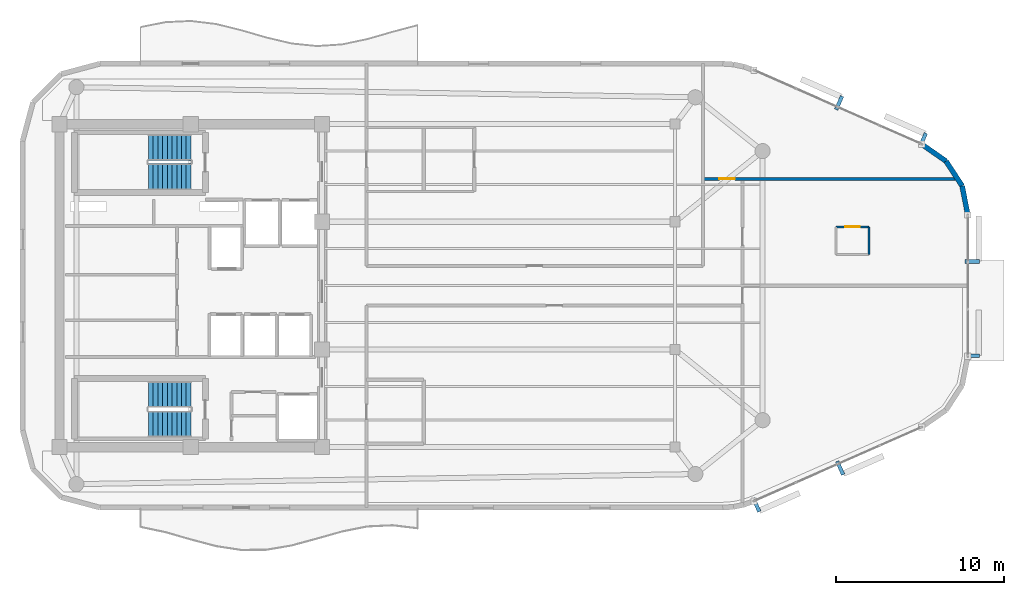
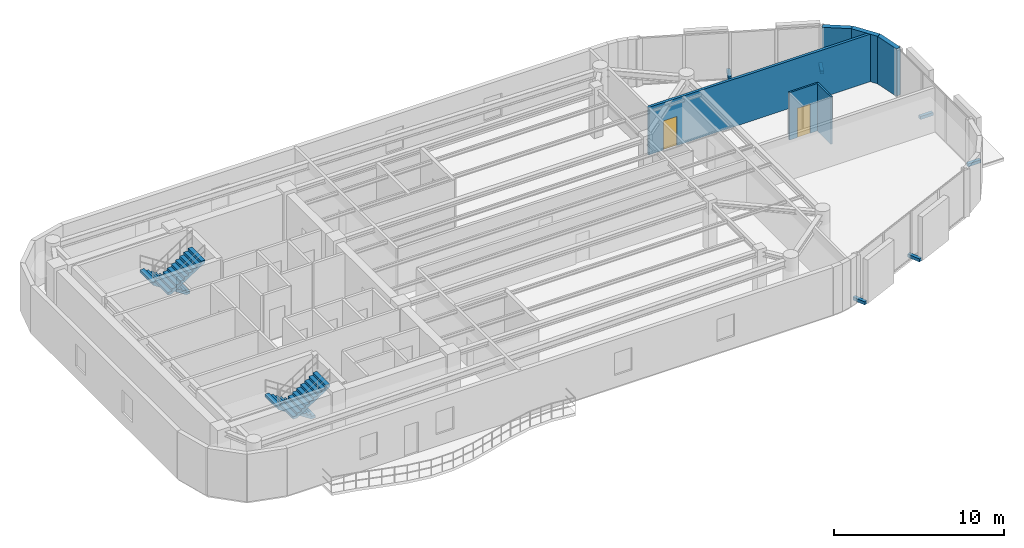
# One storey, part 10 of 12: 6 discrete accessories, 6 walls, 4 stair flights, 2 doors, 2 openings, 2 elements without a shape of their own.
"""IFC4 building model written with IfcOpenShell, lengths in metres."""

from ifc_helpers import new_model, si_unit, direction, frame, frame_2d, origin, origin_2d, place, context, subcontext, project, spatial, polyline, rectangle, outline, extrude, material, layer, layer_set, type_object, element, fill, aggregate, save


model = new_model("IFC4")

# Units and contexts
model_context = context("Model", 3, precision=1e-05, world=origin(), true_north=direction((0.0, 1.0)))
body_context = subcontext(model_context, "Body", "Model", "MODEL_VIEW")
ifc_project = project(units=[si_unit("LENGTHUNIT", "METRE"), si_unit("AREAUNIT", "SQUARE_METRE"), si_unit("VOLUMEUNIT", "CUBIC_METRE"), si_unit("PLANEANGLEUNIT", "RADIAN"), si_unit("MASSUNIT", "GRAM", prefix="KILO")], contexts=[model_context])

# Site, building, storey
site_placement = place(None, origin())
site = spatial("IfcSite", under=ifc_project, at=site_placement, CompositionType="ELEMENT")
building_placement = place(site_placement, origin())
building = spatial("IfcBuilding", under=site, at=building_placement, Name="An Khanh Terracotta Commons", CompositionType="ELEMENT")
storey_placement = place(building_placement, frame((0.0, 0.0, 291.64990234375)))
storey = spatial("IfcBuildingStorey", under=building, at=storey_placement, Name="L76", CompositionType="ELEMENT", Elevation=291.64990234375)

# Wall, opening, door
ifc_material_1 = material(Name="Fire-Rated Gypsum Board on Steel Stud", Category="steel")
ifc_layer_1 = layer(ifc_material_1, 0.179931640625, Name="Fire-Rated Gypsum Board on Steel Stud")
ifc_layer_set_1 = layer_set([ifc_layer_1], Name="Fire-Rated Gypsum Board on Steel Stud")
wall_type_1 = type_object("IfcWallType", Name="WALL-CORR-180", PredefinedType="PARTITIONING", material=ifc_layer_set_1)
wall_1_placement = place(storey_placement, frame((59.85009765625, 30.35009765625, 0.0), z_axis=(0.0, 0.0, 1.0), x_axis=(1.0, 0.0, 0.0)))
wall_1 = element("IfcWall", 1, at=wall_1_placement, inside=storey, type_object=wall_type_1, Name="L76 Interior Partition IW-L76-E007", PredefinedType="PARTITIONING", context=body_context, shape_type="SweptSolid", body=[
    extrude(rectangle(XDim=15.138916015625, YDim=0.179931640625, at=frame_2d((7.5693359375, 0.0))), origin(), (0.0, 0.0, 1.0), 3.41015625),
])
opening_1_placement = place(wall_1_placement, frame((0.97509765625, 0.0, 0.0)))
opening_1 = element("IfcOpeningElement", 2, at=opening_1_placement, cuts=wall_1, Name="Opening D-RM", PredefinedType="OPENING", context=body_context, shape_type="SweptSolid", body=[
    extrude(rectangle(XDim=0.919921875, YDim=2.10009765625, at=frame_2d((0.4599609375, 1.050048828125))), frame((0.0, 0.099853515625, 0.0), z_axis=(0.0, -1.0, 0.0), x_axis=(1.0, 0.0, 0.0)), (0.0, 0.0, 1.0), 0.199951171875),
])
ifc_material_2 = material(Name="Engineered Hardwood Timber Leaf", Category="wood")
door_type_1 = type_object("IfcDoorType", Name="DOOR-INT-920", OperationType="NOTDEFINED", PredefinedType="DOOR", material=ifc_material_2)
door_1_placement = place(opening_1_placement, origin())
door_1 = element("IfcDoor", 3, at=door_1_placement, inside=storey, type_object=door_type_1, Name="L76 ZCN Boardroom Meeting Room Door", OperationType="SINGLE_SWING_RIGHT", OverallHeight=2.10009765625, OverallWidth=0.919921875, PredefinedType="DOOR", context=body_context, shape_type="SweptSolid", body=[
    extrude(rectangle(XDim=0.919921875, YDim=2.10009765625, at=frame_2d((0.4599609375, 1.050048828125))), frame((0.0, 0.02490234375, 0.0), z_axis=(0.0, -1.0, 0.0), x_axis=(1.0, 0.0, 0.0)), (0.0, 0.0, 1.0), 0.050048828125),
])
fill(opening_1, door_1)

# Walls
ifc_material_3 = material(Name="Precast concrete C40/50", Category="concrete")
ifc_layer_2 = layer(ifc_material_3, 0.300048828125, Name="Precast concrete C40/50")
ifc_layer_set_2 = layer_set([ifc_layer_2], Name="Precast concrete C40/50")
wall_type_2 = type_object("IfcWallType", Name="WALL-EXT-300", PredefinedType="SOLIDWALL", material=ifc_layer_set_2)
for number, where, z_axis, x_axis, name in (
    (4, (75.60009765625, 28.201904296875, 0.0), (0.0, 0.0, 1.0), (-0.1915005851, 0.981492499159, 0.0), "L76 Insulated Terracotta Exterior Wall 13"),
    (5, (75.262939453125, 29.929931640625, 0.0), (0.0, 0.0, 1.0), (-0.545836224831, 0.837891887813, 0.0), "L76 Insulated Terracotta Exterior Wall 14"),
):
    element("IfcWall", number, at=place(storey_placement, frame(where, z_axis=z_axis, x_axis=x_axis)), inside=storey, type_object=wall_type_2, Name=name, PredefinedType="SOLIDWALL", context=body_context, shape_type="SweptSolid", body=[
        extrude(rectangle(XDim=1.760498046875, YDim=0.300048828125, at=frame_2d((0.88037109375, 0.0))), origin(), (0.0, 0.0, 1.0), 3.41015625),
    ])
wall_2_placement = place(storey_placement, frame((74.302001953125, 31.405029296875, 0.0), z_axis=(0.0, 0.0, 1.0), x_axis=(-0.821006966142, 0.570918174124, 0.0)))
element("IfcWall", 6, at=wall_2_placement, inside=storey, type_object=wall_type_2, Name="L76 Insulated Terracotta Exterior Wall 15", PredefinedType="SOLIDWALL", context=body_context, shape_type="SweptSolid", body=[
    extrude(rectangle(XDim=1.760009765625, YDim=0.300048828125, at=frame_2d((0.8798828125, 0.0))), origin(), (0.0, 0.0, 1.0), 3.41015625),
])

# Wall, opening, door
ifc_material_4 = material(Name="Moisture-Resistant Cement Board Partition")
ifc_layer_3 = layer(ifc_material_4, 0.1201171875, Name="Moisture-Resistant Cement Board Partition")
ifc_layer_set_3 = layer_set([ifc_layer_3], Name="Moisture-Resistant Cement Board Partition")
wall_type_3 = type_object("IfcWallType", Name="WALL-WET-120", PredefinedType="PARTITIONING", material=ifc_layer_set_3)
wall_3_placement = place(storey_placement, frame((67.764892578125, 27.5009765625, 0.0), z_axis=(0.0, 0.0, 1.0), x_axis=(1.0, 0.0, 0.0)))
wall_3 = element("IfcWall", 7, at=wall_3_placement, inside=storey, type_object=wall_type_3, Name="L76 Interior Partition IW-L76-ZE1-BN", PredefinedType="PARTITIONING", context=body_context, shape_type="SweptSolid", body=[
    extrude(rectangle(XDim=1.9501953125, YDim=0.1201171875, at=frame_2d((0.97509765625, 0.0))), origin(), (0.0, 0.0, 1.0), 3.41015625),
])
opening_2_placement = place(wall_3_placement, frame((0.544921875, 0.0, 0.0)))
opening_2 = element("IfcOpeningElement", 8, at=opening_2_placement, cuts=wall_3, Name="Opening D-ENS", PredefinedType="OPENING", context=body_context, shape_type="SweptSolid", body=[
    extrude(rectangle(XDim=0.860107421875, YDim=2.10009765625, at=frame_2d((0.43017578125, 1.050048828125))), frame((0.0, 0.070068359375, 0.0), z_axis=(0.0, -1.0, 0.0), x_axis=(1.0, 0.0, 0.0)), (0.0, 0.0, 1.0), 0.14013671875),
])
ifc_material_5 = material(Name="Moisture-Resistant Hardwood Timber Leaf", Category="wood")
door_type_2 = type_object("IfcDoorType", Name="DOOR-BATH-860", OperationType="NOTDEFINED", PredefinedType="DOOR", material=ifc_material_5)
door_2_placement = place(opening_2_placement, origin())
door_2 = element("IfcDoor", 9, at=door_2_placement, inside=storey, type_object=door_type_2, Name="L76 Studio ZE1 En-suite Door", OperationType="SINGLE_SWING_LEFT", OverallHeight=2.10009765625, OverallWidth=0.860107421875, PredefinedType="DOOR", context=body_context, shape_type="SweptSolid", body=[
    extrude(rectangle(XDim=0.860107421875, YDim=2.10009765625, at=frame_2d((0.43017578125, 1.050048828125))), frame((0.0, 0.02490234375, 0.0), z_axis=(0.0, -1.0, 0.0), x_axis=(1.0, 0.0, 0.0)), (0.0, 0.0, 1.0), 0.050048828125),
])
fill(opening_2, door_2)

# Wall
wall_4_placement = place(storey_placement, frame((69.715087890625, 25.85107421875, 0.0), z_axis=(0.0, 0.0, 1.0), x_axis=(0.0, 1.0, 0.0)))
element("IfcWall", 10, at=wall_4_placement, inside=storey, type_object=wall_type_3, Name="L76 Interior Partition IW-L76-ZE1-BE", PredefinedType="PARTITIONING", context=body_context, shape_type="SweptSolid", body=[
    extrude(rectangle(XDim=1.64990234375, YDim=0.1201171875, at=frame_2d((0.824951171875, 0.0))), origin(), (0.0, 0.0, 1.0), 3.41015625),
])

# Stair, stair flights
stair_type = type_object("IfcStairType", Name="STAIR-CORE-1550", PredefinedType="HALF_TURN_STAIR", material=ifc_material_3)
stair_1_placement = place(storey_placement, origin())
stair_1 = element("IfcStair", 11, at=stair_1_placement, inside=storey, type_object=stair_type, Name="L76 Core Smokeproof Exit Stair ST-01", PredefinedType="HALF_TURN_STAIR")
stair_flight_type = type_object("IfcStairFlightType", Name="FLIGHT-CORE-1550", PredefinedType="STRAIGHT", material=ifc_material_3)
stair_flight_1_placement = place(storey_placement, frame((29.409912109375, 32.22509765625, 0.0), z_axis=(0.0, 0.0, 1.0), x_axis=(-1.0, 0.0, 0.0)))
stair_flight_1 = element("IfcStairFlight", 12, at=stair_flight_1_placement, type_object=stair_flight_type, Name="ST-01 flight 1", NumberOfRisers=10, NumberOfTreads=9, PredefinedType="STRAIGHT", RiserHeight=0.1825, TreadLength=0.28, context=body_context, shape_type="SweptSolid", body=[
    extrude(outline(polyline([(0.0, 0.0), (0.0, 0.1826171875), (0.280029296875, 0.1826171875), (0.280029296875, 0.364990234375), (0.56005859375, 0.364990234375), (0.56005859375, 0.547607421875), (0.840087890625, 0.547607421875), (0.840087890625, 0.72998046875), (1.1201171875, 0.72998046875), (1.1201171875, 0.91259765625), (1.39990234375, 0.91259765625), (1.39990234375, 1.094970703125), (1.679931640625, 1.094970703125), (1.679931640625, 1.277587890625), (1.9599609375, 1.277587890625), (1.9599609375, 1.4599609375), (2.239990234375, 1.4599609375), (2.239990234375, 1.642578125), (2.52001953125, 1.642578125), (2.52001953125, 1.824951171875), (2.52001953125, 1.463623046875), (0.2744140625, 0.0), (0.0, 0.0)])), frame((0.0, 0.77490234375, 0.0), z_axis=(0.0, -1.0, 0.0), x_axis=(1.0, 0.0, 0.0)), (0.0, 0.0, 1.0), 1.550048828125),
])
stair_flight_2_placement = place(storey_placement, frame((26.889892578125, 30.47509765625, 1.8251953125), z_axis=(0.0, 0.0, 1.0), x_axis=(1.0, 0.0, 0.0)))
stair_flight_2 = element("IfcStairFlight", 13, at=stair_flight_2_placement, type_object=stair_flight_type, Name="ST-01 flight 2", NumberOfRisers=10, NumberOfTreads=9, PredefinedType="STRAIGHT", RiserHeight=0.1825, TreadLength=0.28, context=body_context, shape_type="SweptSolid", body=[
    extrude(outline(polyline([(0.0, 0.0), (0.0, 0.1826171875), (0.280029296875, 0.1826171875), (0.280029296875, 0.364990234375), (0.56005859375, 0.364990234375), (0.56005859375, 0.547607421875), (0.840087890625, 0.547607421875), (0.840087890625, 0.72998046875), (1.1201171875, 0.72998046875), (1.1201171875, 0.91259765625), (1.39990234375, 0.91259765625), (1.39990234375, 1.094970703125), (1.679931640625, 1.094970703125), (1.679931640625, 1.277587890625), (1.9599609375, 1.277587890625), (1.9599609375, 1.4599609375), (2.239990234375, 1.4599609375), (2.239990234375, 1.642578125), (2.52001953125, 1.642578125), (2.52001953125, 1.824951171875), (2.52001953125, 1.463623046875), (0.2744140625, 0.0), (0.0, 0.0)])), frame((0.0, 0.77490234375, 0.0), z_axis=(0.0, -1.0, 0.0), x_axis=(1.0, 0.0, 0.0)), (0.0, 0.0, 1.0), 1.550048828125),
])
aggregate(stair_1, [stair_flight_1, stair_flight_2])

stair_2_placement = place(storey_placement, origin())
stair_2 = element("IfcStair", 14, at=stair_2_placement, inside=storey, type_object=stair_type, Name="L76 Core Smokeproof Exit Stair ST-02", PredefinedType="HALF_TURN_STAIR")
stair_flight_3_placement = place(storey_placement, frame((29.409912109375, 17.52490234375, 0.0), z_axis=(0.0, 0.0, 1.0), x_axis=(-1.0, 0.0, 0.0)))
stair_flight_3 = element("IfcStairFlight", 15, at=stair_flight_3_placement, type_object=stair_flight_type, Name="ST-02 flight 1", NumberOfRisers=10, NumberOfTreads=9, PredefinedType="STRAIGHT", RiserHeight=0.1825, TreadLength=0.28, context=body_context, shape_type="SweptSolid", body=[
    extrude(outline(polyline([(0.0, 0.0), (0.0, 0.1826171875), (0.280029296875, 0.1826171875), (0.280029296875, 0.364990234375), (0.56005859375, 0.364990234375), (0.56005859375, 0.547607421875), (0.840087890625, 0.547607421875), (0.840087890625, 0.72998046875), (1.1201171875, 0.72998046875), (1.1201171875, 0.91259765625), (1.39990234375, 0.91259765625), (1.39990234375, 1.094970703125), (1.679931640625, 1.094970703125), (1.679931640625, 1.277587890625), (1.9599609375, 1.277587890625), (1.9599609375, 1.4599609375), (2.239990234375, 1.4599609375), (2.239990234375, 1.642578125), (2.52001953125, 1.642578125), (2.52001953125, 1.824951171875), (2.52001953125, 1.463623046875), (0.2744140625, 0.0), (0.0, 0.0)])), frame((0.0, 0.77490234375, 0.0), z_axis=(0.0, -1.0, 0.0), x_axis=(1.0, 0.0, 0.0)), (0.0, 0.0, 1.0), 1.550048828125),
])
stair_flight_4_placement = place(storey_placement, frame((26.889892578125, 15.77490234375, 1.8251953125), z_axis=(0.0, 0.0, 1.0), x_axis=(1.0, 0.0, 0.0)))
stair_flight_4 = element("IfcStairFlight", 16, at=stair_flight_4_placement, type_object=stair_flight_type, Name="ST-02 flight 2", NumberOfRisers=10, NumberOfTreads=9, PredefinedType="STRAIGHT", RiserHeight=0.1825, TreadLength=0.28, context=body_context, shape_type="SweptSolid", body=[
    extrude(outline(polyline([(0.0, 0.0), (0.0, 0.1826171875), (0.280029296875, 0.1826171875), (0.280029296875, 0.364990234375), (0.56005859375, 0.364990234375), (0.56005859375, 0.547607421875), (0.840087890625, 0.547607421875), (0.840087890625, 0.72998046875), (1.1201171875, 0.72998046875), (1.1201171875, 0.91259765625), (1.39990234375, 0.91259765625), (1.39990234375, 1.094970703125), (1.679931640625, 1.094970703125), (1.679931640625, 1.277587890625), (1.9599609375, 1.277587890625), (1.9599609375, 1.4599609375), (2.239990234375, 1.4599609375), (2.239990234375, 1.642578125), (2.52001953125, 1.642578125), (2.52001953125, 1.824951171875), (2.52001953125, 1.463623046875), (0.2744140625, 0.0), (0.0, 0.0)])), frame((0.0, 0.77490234375, 0.0), z_axis=(0.0, -1.0, 0.0), x_axis=(1.0, 0.0, 0.0)), (0.0, 0.0, 1.0), 1.550048828125),
])
aggregate(stair_2, [stair_flight_3, stair_flight_4])

# Discrete accessories
ifc_material_6 = material(Name="Stainless Steel Grade 316L", Category="steel")
discrete_accessory_type = type_object("IfcDiscreteAccessoryType", Name="Stainless Outrigger Facade Bracket", PredefinedType="BRACKET", material=ifc_material_6)
for number, where, z_axis, x_axis, name in (
    (17, (63.02587890625, 10.962890625, 0.0703125), (0.0, 0.0, 1.0), (0.914901853201, 0.403676354285, 0.0), "L76 Terracotta Screen Outrigger Bracket 1"),
    (18, (68.010986328125, 13.162109375, 0.0703125), (0.0, 0.0, 1.0), (0.914901853201, 0.403676354285, 0.0), "L76 Terracotta Screen Outrigger Bracket 3"),
    (19, (75.864990234375, 19.8330078125, 0.0703125), (0.0, 0.0, 1.0), (0.0, 1.0, 0.0), "L76 Terracotta Screen Outrigger Bracket 1"),
    (20, (75.864990234375, 25.43603515625, 0.0703125), (0.0, 0.0, 1.0), (0.0, 1.0, 0.0), "L76 Terracotta Screen Outrigger Bracket 3"),
    (21, (72.931884765625, 32.6669921875, 0.0703125), (0.0, 0.0, 1.0), (-0.914901853201, 0.403676354285, 0.0), "L76 Terracotta Screen Outrigger Bracket 1"),
    (22, (67.947021484375, 34.865966796875, 0.0703125), (0.0, 0.0, 1.0), (-0.914901853201, 0.403676354285, 0.0), "L76 Terracotta Screen Outrigger Bracket 3"),
):
    element("IfcDiscreteAccessory", number, at=place(storey_placement, frame(where, z_axis=z_axis, x_axis=x_axis)), inside=storey, type_object=discrete_accessory_type, Name=name, PredefinedType="BRACKET", context=body_context, shape_type="SweptSolid", body=[
        extrude(rectangle(XDim=0.219970703125, YDim=0.8701171875, at=origin_2d()), origin(), (0.0, 0.0, 1.0), 0.219970703125),
    ])

save(model, "model.ifc")
